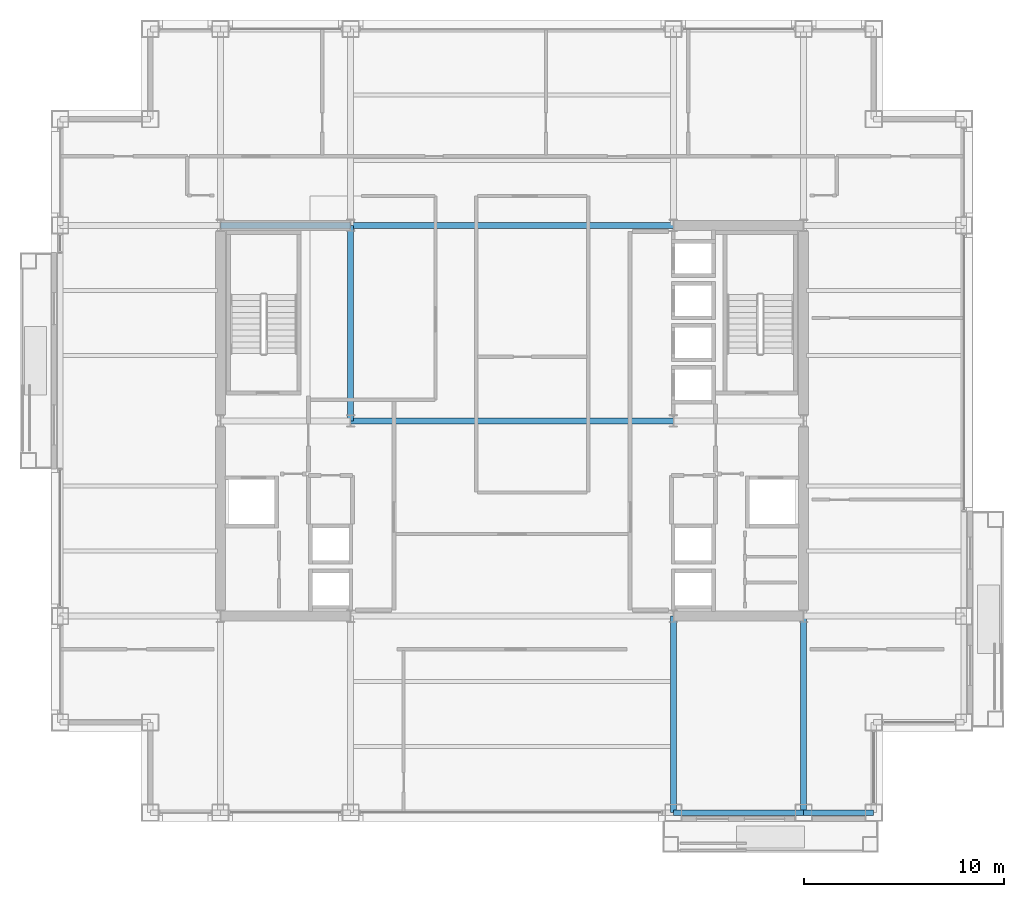
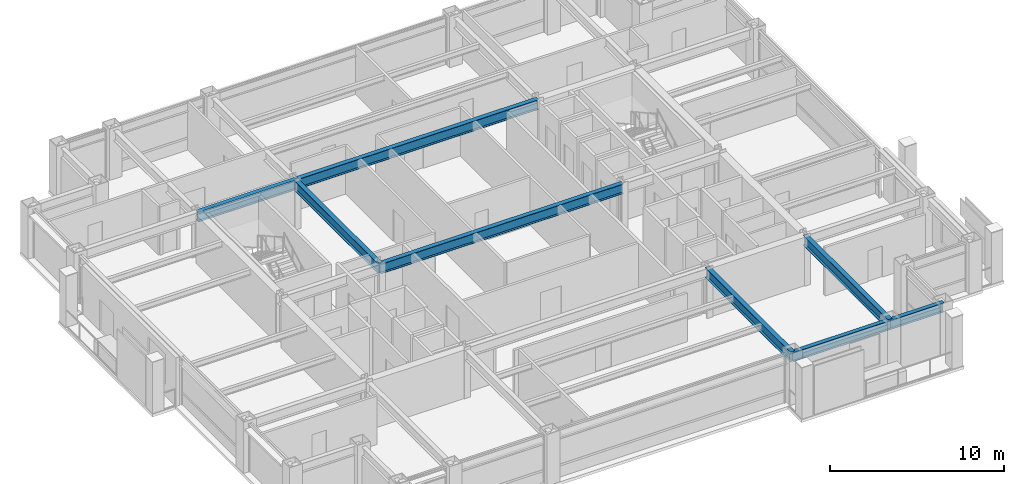
# One storey, part 12 of 31: 8 beams.
"""IFC4 building model written with IfcOpenShell, lengths in metres."""

import ifcopenshell
import ifcopenshell.guid

model = None  # the IFC model being written
_history = None  # IfcOwnerHistory: only IFC2X3 demands one
_inside = {}  # id of a spatial element -> (the spatial element, [elements in it])
_under = {}  # id of a project, library or spatial element -> (it, [spatial elements below it])
_declared = {}  # id of a project -> (the project, [libraries it declares])
_typed = {}  # id of a type object -> (the type object, [elements of that type])
_made_of = {}  # id of a material, layer set ... -> (it, [elements and type objects made of it])


def new_model(schema):
    """Start an empty IFC model of exactly this schema.

    Asked for "IFC4X3", IfcOpenShell would pick the latest addendum, in which some entities
    have other attributes; the version numbers below select the first issue.
    IFC2X3 requires an IfcOwnerHistory on every rooted entity: one is made here for all.
    """
    global model, _history
    if schema == "IFC4X3":
        model = ifcopenshell.file(schema_version=(4, 3, 0, 0))
    else:
        model = ifcopenshell.file(schema=schema)
    _inside.clear()
    _under.clear()
    _declared.clear()
    _typed.clear()
    _made_of.clear()
    _history = None
    if model.schema == "IFC2X3":
        org = make("IfcOrganization", Name="unknown")
        user = make(
            "IfcPersonAndOrganization",
            ThePerson=make("IfcPerson", FamilyName="unknown"),
            TheOrganization=org,
        )
        app = make(
            "IfcApplication",
            ApplicationDeveloper=org,
            Version="unknown",
            ApplicationFullName="unknown",
            ApplicationIdentifier="unknown",
        )
        _history = make(
            "IfcOwnerHistory",
            OwningUser=user,
            OwningApplication=app,
            ChangeAction="ADDED",
            CreationDate=0,
        )
    return model


def make(cls, **values):
    """One entity of the class cls with the attributes given. An attribute that is None is left unset."""
    return model.create_entity(
        cls, **{name: value for name, value in values.items() if value is not None}
    )


def rooted(cls, **values):
    """An entity with a GlobalId (a new one), such as an element, a storey or a relation."""
    return make(cls, GlobalId=ifcopenshell.guid.new(), OwnerHistory=_history, **values)


def si_unit(unit_type, name, prefix=None):
    """IfcSIUnit, for example si_unit("LENGTHUNIT", "METRE", prefix="MILLI")."""
    return make("IfcSIUnit", UnitType=unit_type, Prefix=prefix, Name=name)


def assignment(units):
    """IfcUnitAssignment: the units of a project."""
    return None if units is None else make("IfcUnitAssignment", Units=units)


def point(xyz):
    """IfcCartesianPoint."""
    return None if xyz is None else make("IfcCartesianPoint", Coordinates=xyz)


def direction(xyz):
    """IfcDirection."""
    return None if xyz is None else make("IfcDirection", DirectionRatios=xyz)


def frame(location, z_axis=None, x_axis=None):
    """IfcAxis2Placement3D, a coordinate frame: its origin and axes. An axis left out is left unset."""
    return make(
        "IfcAxis2Placement3D",
        Location=point(location),
        Axis=direction(z_axis),
        RefDirection=direction(x_axis),
    )


def frame_2d(location, x_axis=None):
    """IfcAxis2Placement2D, a coordinate frame in the plane: its origin and x axis."""
    return make(
        "IfcAxis2Placement2D", Location=point(location), RefDirection=direction(x_axis)
    )


def origin():
    """The frame at (0, 0, 0) with its axes left unset."""
    return frame((0.0, 0.0, 0.0))


def origin_2d():
    """The frame at (0, 0) in the plane with its x axis left unset."""
    return frame_2d((0.0, 0.0))


def place(relative_to, where):
    """IfcLocalPlacement: puts the frame where relative to a parent placement (None: the world)."""
    return make(
        "IfcLocalPlacement", PlacementRelTo=relative_to, RelativePlacement=where
    )


def context(
    kind, dimensions, precision=None, world=None, true_north=None, identifier=None
):
    """IfcGeometricRepresentationContext, for example the 3D "Model" context."""
    return make(
        "IfcGeometricRepresentationContext",
        ContextIdentifier=identifier,
        ContextType=kind,
        CoordinateSpaceDimension=dimensions,
        Precision=precision,
        WorldCoordinateSystem=world,
        TrueNorth=true_north,
    )


def subcontext(parent, identifier, kind, view, scale=None):
    """IfcGeometricRepresentationSubContext, for example "Body" below "Model"."""
    return make(
        "IfcGeometricRepresentationSubContext",
        ContextIdentifier=identifier,
        ContextType=kind,
        ParentContext=parent,
        TargetScale=scale,
        TargetView=view,
    )


def project(units=None, contexts=None):
    """IfcProject with its units and contexts."""
    return rooted(
        "IfcProject",
        Name="project",
        RepresentationContexts=contexts,
        UnitsInContext=assignment(units),
    )


def spatial(cls, under=None, at=None, **own):
    """A site, building, storey or space (cls), placed at a placement, below another one or the project."""
    s = rooted(cls, ObjectPlacement=at, **own)
    if under is not None:
        _under.setdefault(under.id(), (under, []))[1].append(s)
    return s


def profile(cls, at=None, kind="AREA", **sizes):
    """A parametric profile (cls). Its sizes go by their IFC names, for example OverallWidth=200.0."""
    return make(cls, ProfileType=kind, Position=at, **sizes)


def i_section(**sizes):
    """IfcIShapeProfileDef."""
    return profile("IfcIShapeProfileDef", **sizes)


def extrude(swept, where, along, depth):
    """IfcExtrudedAreaSolid: the profile swept, set in the frame where, extruded along a direction by depth."""
    return make(
        "IfcExtrudedAreaSolid",
        SweptArea=swept,
        Position=where,
        ExtrudedDirection=direction(along),
        Depth=depth,
    )


def shape(context_of_items, identifier, shape_type, items):
    """IfcShapeRepresentation: the items that make up one representation, for example the "Body"."""
    return make(
        "IfcShapeRepresentation",
        ContextOfItems=context_of_items,
        RepresentationIdentifier=identifier,
        RepresentationType=shape_type,
        Items=items,
    )


def material(Name=None, Category=None):
    """IfcMaterial."""
    return make("IfcMaterial", Name=Name, Category=Category)


def material_profile(
    of_material, cross_section, Name=None, Category=None, Priority=None
):
    """IfcMaterialProfile: a cross section and its material."""
    return make(
        "IfcMaterialProfile",
        Name=Name,
        Material=of_material,
        Profile=cross_section,
        Priority=Priority,
        Category=Category,
    )


def profile_set(profiles, Name=None, composite=None):
    """IfcMaterialProfileSet."""
    return make(
        "IfcMaterialProfileSet",
        Name=Name,
        MaterialProfiles=profiles,
        CompositeProfile=composite,
    )


def made_of(thing, what):
    """Note that an element or type object is made of a material, layer set ...; save() writes the relation."""
    if what is not None:
        _made_of.setdefault(what.id(), (what, []))[1].append(thing)
    return thing


def type_object(cls, material=None, **own):
    """A type object (cls), such as IfcWallType, which elements share."""
    return made_of(rooted(cls, **own), material)


def element(
    cls,
    number,
    at=None,
    inside=None,
    cuts=None,
    type_object=None,
    material=None,
    context=None,
    identifier="Body",
    shape_type=None,
    held_by="IfcProductDefinitionShape",
    body=None,
    shapes=None,
    **own,
):
    """One element of the class cls, such as IfcWall. Its Tag is "e" and its number.

    at: its placement. inside: the storey or other place that contains it. cuts: it is an
    opening in that element (IfcRelVoidsElement). A single representation is given by context,
    identifier, shape_type and body (its items); several are given by shapes. held_by: the class
    of the entity that holds the representations. save() writes the other relations.
    """
    e = rooted(cls, Tag="e%d" % number, ObjectPlacement=at, **own)
    if body is not None:
        shapes = [shape(context, identifier, shape_type, body)]
    if shapes is not None:
        e.Representation = make(held_by, Representations=shapes)
    if inside is not None:
        _inside.setdefault(inside.id(), (inside, []))[1].append(e)
    if cuts is not None:
        rooted(
            "IfcRelVoidsElement", RelatingBuildingElement=cuts, RelatedOpeningElement=e
        )
    if type_object is not None:
        _typed.setdefault(type_object.id(), (type_object, []))[1].append(e)
    return made_of(e, material)


def aggregate(whole, parts):
    """IfcRelAggregates: a whole, such as a stair, and the parts it consists of."""
    return rooted("IfcRelAggregates", RelatingObject=whole, RelatedObjects=parts)


def save(model, path):
    """Write the relations noted so far, then the file.

    IfcRelAggregates (storeys below a building ...), IfcRelContainedInSpatialStructure (elements
    in a storey), IfcRelDefinesByType, IfcRelAssociatesMaterial and IfcRelDeclares: one each for
    every whole, place, type object, material and project.
    """
    for whole, parts in _under.values():
        aggregate(whole, parts)
    for where, things in _inside.values():
        rooted(
            "IfcRelContainedInSpatialStructure",
            RelatedElements=things,
            RelatingStructure=where,
        )
    for kind, things in _typed.values():
        rooted("IfcRelDefinesByType", RelatedObjects=things, RelatingType=kind)
    for what, things in _made_of.values():
        rooted("IfcRelAssociatesMaterial", RelatedObjects=things, RelatingMaterial=what)
    for by, libraries in _declared.values():
        rooted("IfcRelDeclares", RelatingContext=by, RelatedDefinitions=libraries)
    model.write(path)


model = new_model("IFC4")

# Units and contexts
model_context = context("Model", 3, precision=1e-05, world=origin(), true_north=direction((0.0, 1.0)))
body_context = subcontext(model_context, "Body", "Model", "MODEL_VIEW")
ifc_project = project(units=[si_unit("LENGTHUNIT", "METRE"), si_unit("AREAUNIT", "SQUARE_METRE"), si_unit("VOLUMEUNIT", "CUBIC_METRE"), si_unit("PLANEANGLEUNIT", "RADIAN"), si_unit("MASSUNIT", "GRAM", prefix="KILO")], contexts=[model_context])

# Site, building, storey
site_placement = place(None, origin())
site = spatial("IfcSite", under=ifc_project, at=site_placement, CompositionType="ELEMENT")
building_placement = place(site_placement, origin())
building = spatial("IfcBuilding", under=site, at=building_placement, Name="Brelmoor Portico Tower", CompositionType="ELEMENT")
storey_placement = place(building_placement, frame((0.0, 0.0, 106.199951171875)))
storey = spatial("IfcBuildingStorey", under=building, at=storey_placement, Name="L27", CompositionType="ELEMENT", Elevation=106.199951171875)

# Beams
ifc_material = material(Name="Steel Q355B", Category="steel")
ifc_material_profile_1 = material_profile(ifc_material, i_section(OverallWidth=0.300048828125, OverallDepth=0.699951171875, WebThickness=0.012939453125, FlangeThickness=0.02392578125, at=origin_2d()), Name="HN 700x300x13x24")
ifc_profile_set_1 = profile_set([ifc_material_profile_1], Name="Steel Q355B")
beam_type_1 = type_object("IfcBeamType", Name="BM-PG-700", PredefinedType="BEAM", material=ifc_profile_set_1)
beam_1_placement = place(storey_placement, frame((-8.050048828125, 0.0, 3.050048828125), z_axis=(0.0, 1.0, 0.0), x_axis=(-1.0, 0.0, 0.0)))
element("IfcBeam", 1, at=beam_1_placement, inside=storey, type_object=beam_type_1, Name="L27 Primary Floor Girder PG-06", PredefinedType="BEAM", context=body_context, shape_type="SweptSolid", body=[
    extrude(i_section(OverallWidth=0.300048828125, OverallDepth=0.699951171875, WebThickness=0.012939453125, FlangeThickness=0.02392578125, at=origin_2d()), origin(), (0.0, 0.0, 1.0), 9.75),
])
for number, where, z_axis, x_axis, name in (
    (2, (8.050048828125, -19.550048828125, 3.050048828125), (0.0, 1.0, 0.0), (-1.0, 0.0, 0.0), "L27 Primary Floor Girder PG-08"),
    (3, (14.550048828125, -19.550048828125, 3.050048828125), (0.0, 1.0, 0.0), (-1.0, 0.0, 0.0), "L27 Primary Floor Girder PG-10"),
):
    element("IfcBeam", number, at=place(storey_placement, frame(where, z_axis=z_axis, x_axis=x_axis)), inside=storey, type_object=beam_type_1, Name=name, PredefinedType="BEAM", context=body_context, shape_type="SweptSolid", body=[
        extrude(i_section(OverallWidth=0.300048828125, OverallDepth=0.699951171875, WebThickness=0.012939453125, FlangeThickness=0.02392578125, at=origin_2d()), origin(), (0.0, 0.0, 1.0), 9.800048828125),
    ])
beam_2_placement = place(storey_placement, frame((-8.050048828125, 0.0, 3.050048828125), z_axis=(1.0, 0.0, 0.0), x_axis=(0.0, 1.0, 0.0)))
element("IfcBeam", 4, at=beam_2_placement, inside=storey, type_object=beam_type_1, Name="L27 Primary Floor Girder PG-20", PredefinedType="BEAM", context=body_context, shape_type="SweptSolid", body=[
    extrude(i_section(OverallWidth=0.300048828125, OverallDepth=0.699951171875, WebThickness=0.012939453125, FlangeThickness=0.02392578125, at=origin_2d()), origin(), (0.0, 0.0, 1.0), 16.10009765625),
])
beam_3_placement = place(storey_placement, frame((-14.550048828125, 9.75, 3.050048828125), z_axis=(1.0, 0.0, 0.0), x_axis=(0.0, 1.0, 0.0)))
element("IfcBeam", 5, at=beam_3_placement, inside=storey, type_object=beam_type_1, Name="L27 Primary Floor Girder PG-23", PredefinedType="BEAM", context=body_context, shape_type="SweptSolid", body=[
    extrude(i_section(OverallWidth=0.300048828125, OverallDepth=0.699951171875, WebThickness=0.012939453125, FlangeThickness=0.02392578125, at=origin_2d()), origin(), (0.0, 0.0, 1.0), 6.5),
])
beam_4_placement = place(storey_placement, frame((-8.050048828125, 9.75, 3.050048828125), z_axis=(1.0, 0.0, 0.0), x_axis=(0.0, 1.0, 0.0)))
element("IfcBeam", 6, at=beam_4_placement, inside=storey, type_object=beam_type_1, Name="L27 Primary Floor Girder PG-24", PredefinedType="BEAM", context=body_context, shape_type="SweptSolid", body=[
    extrude(i_section(OverallWidth=0.300048828125, OverallDepth=0.699951171875, WebThickness=0.012939453125, FlangeThickness=0.02392578125, at=origin_2d()), origin(), (0.0, 0.0, 1.0), 16.10009765625),
])
ifc_material_profile_2 = material_profile(ifc_material, i_section(OverallWidth=0.280029296875, OverallDepth=0.64990234375, WebThickness=0.012939453125, FlangeThickness=0.02197265625, at=origin_2d()), Name="HN 650x280x13x22")
ifc_profile_set_2 = profile_set([ifc_material_profile_2], Name="Steel Q355B")
beam_type_2 = type_object("IfcBeamType", Name="BM-SP-650", PredefinedType="SPANDREL", material=ifc_profile_set_2)
beam_5_placement = place(storey_placement, frame((8.050048828125, -19.550048828125, 3.074951171875), z_axis=(1.0, 0.0, 0.0), x_axis=(0.0, 1.0, 0.0)))
element("IfcBeam", 7, at=beam_5_placement, inside=storey, type_object=beam_type_2, Name="L27 Perimeter Spandrel Beam SP-04", PredefinedType="SPANDREL", context=body_context, shape_type="SweptSolid", body=[
    extrude(i_section(OverallWidth=0.280029296875, OverallDepth=0.64990234375, WebThickness=0.012939453125, FlangeThickness=0.02197265625, at=origin_2d()), origin(), (0.0, 0.0, 1.0), 6.5),
])
beam_6_placement = place(storey_placement, frame((14.550048828125, -19.550048828125, 3.074951171875), z_axis=(1.0, 0.0, 0.0), x_axis=(0.0, 1.0, 0.0)))
element("IfcBeam", 8, at=beam_6_placement, inside=storey, type_object=beam_type_2, Name="L27 Perimeter Spandrel Beam SP-05", PredefinedType="SPANDREL", context=body_context, shape_type="SweptSolid", body=[
    extrude(i_section(OverallWidth=0.280029296875, OverallDepth=0.64990234375, WebThickness=0.012939453125, FlangeThickness=0.02197265625, at=origin_2d()), origin(), (0.0, 0.0, 1.0), 3.5),
])

save(model, "model.ifc")
